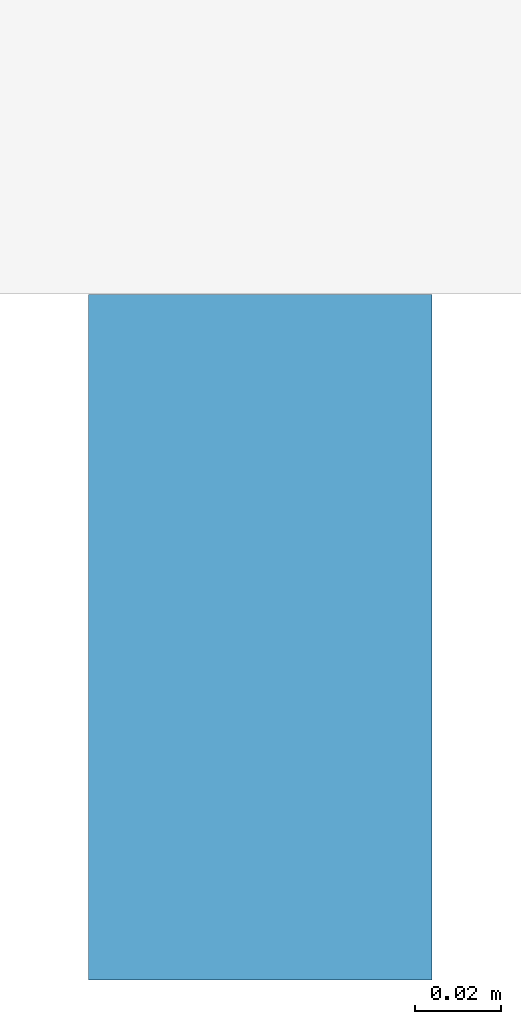
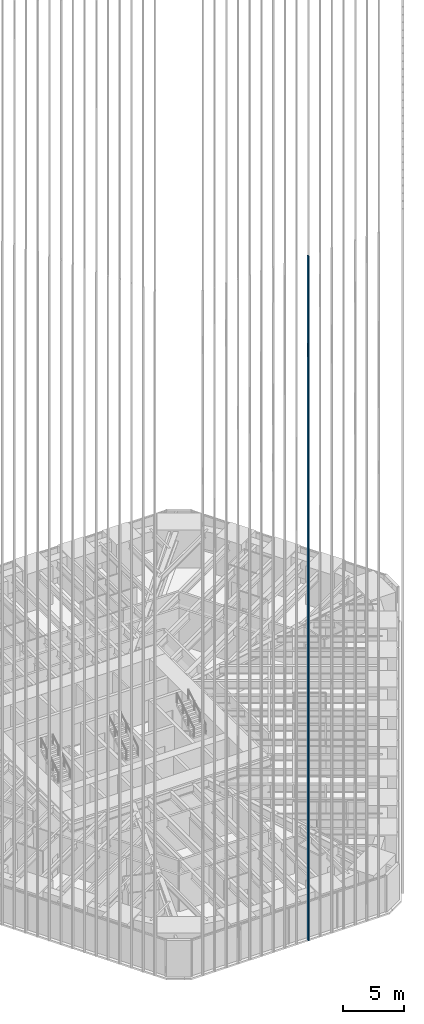
# One storey, part 68 of 256: 1 member, 1 element without a shape of its own.
"""IFC4 building model written with IfcOpenShell, lengths in metres."""

from ifc_helpers import new_model, si_unit, direction, frame, origin, origin_2d, place, context, subcontext, project, spatial, rectangle, extrude, material, material_profile, profile_set, type_object, element, aggregate, save


model = new_model("IFC4")

# Units and contexts
model_context = context("Model", 3, precision=1e-05, world=origin(), true_north=direction((0.0, 1.0)))
body_context = subcontext(model_context, "Body", "Model", "MODEL_VIEW")
ifc_project = project(units=[si_unit("LENGTHUNIT", "METRE"), si_unit("AREAUNIT", "SQUARE_METRE"), si_unit("VOLUMEUNIT", "CUBIC_METRE"), si_unit("PLANEANGLEUNIT", "RADIAN"), si_unit("MASSUNIT", "GRAM", prefix="KILO")], contexts=[model_context])

# Site, building, storey
site_placement = place(None, origin())
site = spatial("IfcSite", under=ifc_project, at=site_placement, CompositionType="ELEMENT")
building_placement = place(site_placement, origin())
building = spatial("IfcBuilding", under=site, at=building_placement, Name="Sandreach Pilgrim Tower", CompositionType="ELEMENT")
storey_placement = place(building_placement, frame((0.0, 0.0, 23.0)))
storey = spatial("IfcBuildingStorey", under=building, at=storey_placement, Name="L04", CompositionType="ELEMENT", Elevation=23.0)

# Curtain wall, member
ifc_material_1 = material(Name="Aluminium framed curtain wall", Category="aluminium")
curtain_wall_type = type_object("IfcCurtainWallType", Name="Hostel tower curtain wall", PredefinedType="NOTDEFINED", material=ifc_material_1)
curtain_wall_placement = place(storey_placement, origin())
curtain_wall = element("IfcCurtainWall", 1, at=curtain_wall_placement, inside=storey, type_object=curtain_wall_type, Name="CW-1 L04 S", PredefinedType="NOTDEFINED")
ifc_material_2 = material(Name="Extruded terracotta on aluminium core", Category="masonry")
ifc_material_profile = material_profile(ifc_material_2, rectangle(XDim=0.080078125, YDim=0.159912109375, at=origin_2d()), Name="TBS 80X160")
ifc_profile_set = profile_set([ifc_material_profile], Name="Extruded terracotta on aluminium core")
member_type = type_object("IfcMemberType", Name="Terracotta baguette south", PredefinedType="USERDEFINED", material=ifc_profile_set)
member_placement = place(storey_placement, frame((1.6572265625, -30.390869140625, 0.0), z_axis=(0.0, 0.0, 1.0), x_axis=(-1.0, 0.0, 0.0)))
member = element("IfcMember", 2, at=member_placement, type_object=member_type, Name="Baguette Z1 S07", ObjectType="BAGUETTE", PredefinedType="USERDEFINED", context=body_context, shape_type="SweptSolid", body=[
    extrude(rectangle(XDim=0.080078125, YDim=0.159912109375, at=origin_2d()), origin(), (0.0, 0.0, 1.0), 68.239990234375),
])
aggregate(curtain_wall, [member])

save(model, "model.ifc")
